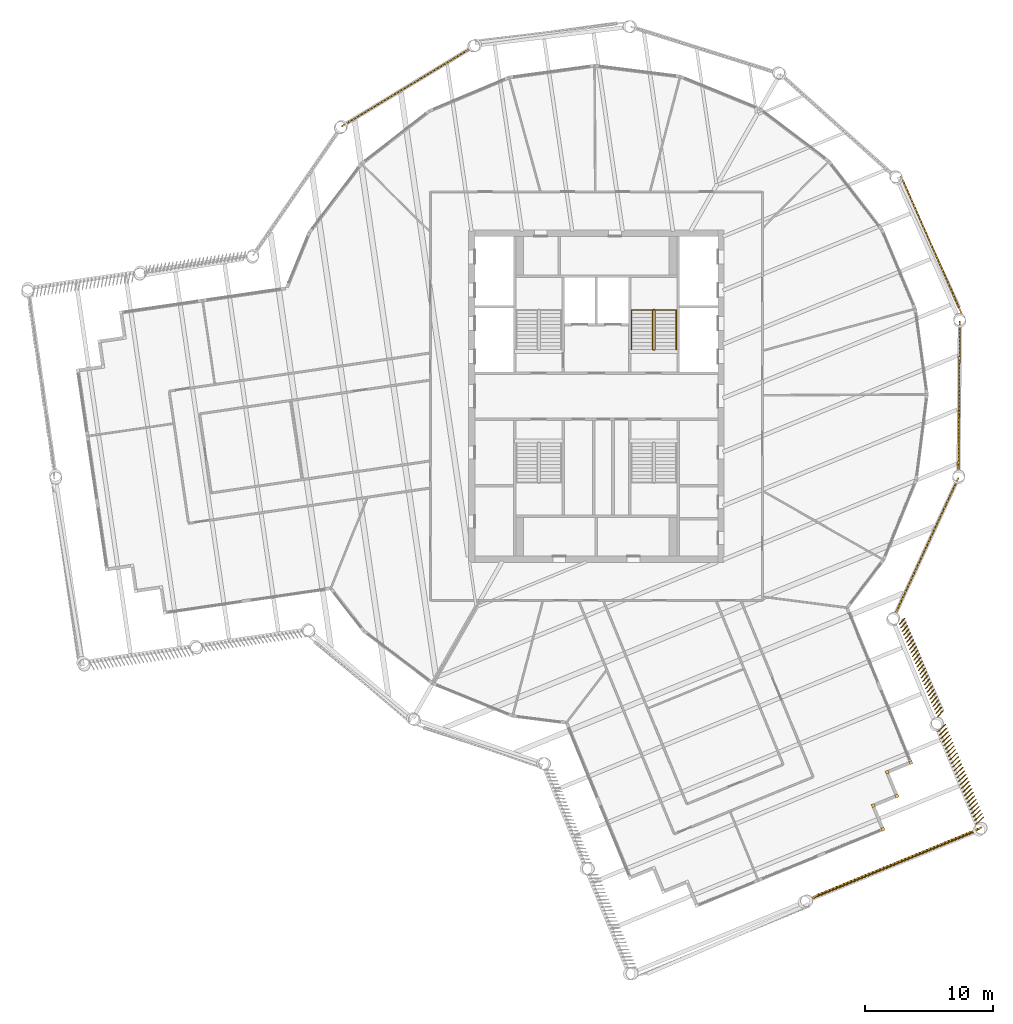
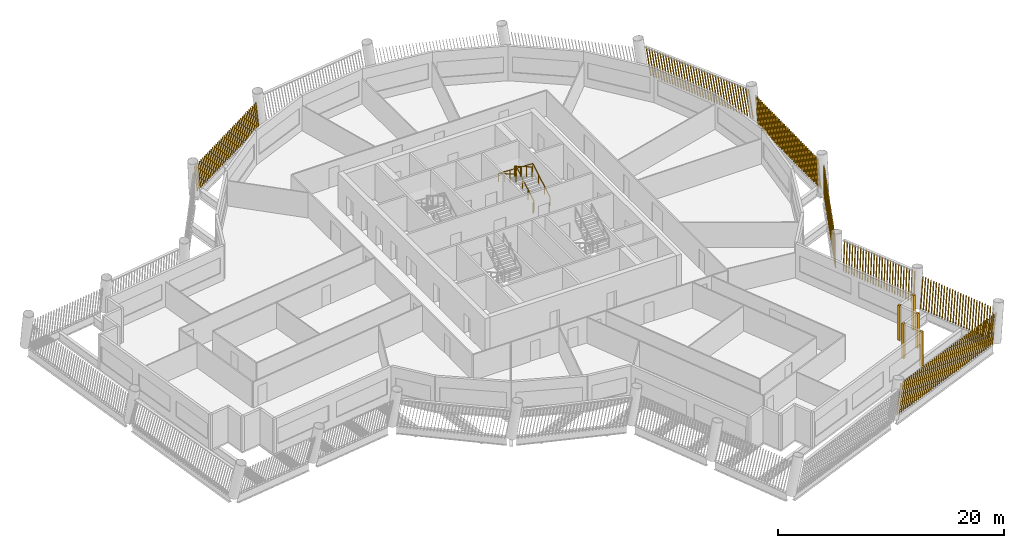
# One storey, part 13 of 15: 12 shading devices, 2 railings.
"""IFC4 building model written with IfcOpenShell, lengths in metres."""

from ifc_helpers import new_model, si_unit, direction, frame, frame_2d, origin, origin_2d, place, context, subcontext, project, spatial, rectangle, circle, composite_profile, extrude, material, type_object, element, save


model = new_model("IFC4")

# Units and contexts
model_context = context("Model", 3, precision=1e-05, world=origin(), true_north=direction((0.0, 1.0)))
body_context = subcontext(model_context, "Body", "Model", "MODEL_VIEW")
ifc_project = project(units=[si_unit("LENGTHUNIT", "METRE"), si_unit("AREAUNIT", "SQUARE_METRE"), si_unit("VOLUMEUNIT", "CUBIC_METRE"), si_unit("PLANEANGLEUNIT", "RADIAN"), si_unit("MASSUNIT", "GRAM", prefix="KILO")], contexts=[model_context])

# Site, building, storey
site_placement = place(None, origin())
site = spatial("IfcSite", under=ifc_project, at=site_placement, CompositionType="ELEMENT")
building_placement = place(site_placement, origin())
building = spatial("IfcBuilding", under=site, at=building_placement, Name="Tarsis Ring Headquarters", CompositionType="ELEMENT")
storey_placement = place(building_placement, frame((0.0, 0.0, 319.699951171875)))
storey = spatial("IfcBuildingStorey", under=building, at=storey_placement, Name="L75", CompositionType="ELEMENT", Elevation=319.699951171875)

# Railings
ifc_material_1 = material(Name="Steel S355", Category="steel")
railing_type_1 = type_object("IfcRailingType", Name="Core stair guard 1100", PredefinedType="GUARDRAIL", material=ifc_material_1)
railing_1_placement = place(storey_placement, frame((4.4599609375, 3.610107421875, 0.0)))
element("IfcRailing", 1, at=railing_1_placement, inside=storey, type_object=railing_type_1, Name="L75 ST2 stair guard 1", PredefinedType="GUARDRAIL", context=body_context, shape_type="SweptSolid", body=[
    extrude(circle(Radius=0.02392578125, at=origin_2d()), frame((0.0, 0.0, 1.076171875), z_axis=(1.0, 0.0, 0.0), x_axis=(0.0, 1.0, 0.0)), (0.0, 0.0, 1.0), 0.080078125),
    extrude(circle(Radius=0.02392578125, at=origin_2d()), frame((0.080078125, 0.0, 1.076171875), z_axis=(0.282336740067, 0.280959487676, 0.917250092119), x_axis=(-0.705375805398, 0.708833529934, 0.0)), (0.0, 0.0, 1.0), 0.17724609375),
    extrude(circle(Radius=0.02392578125, at=origin_2d()), frame((0.130126953125, 0.0498046875, 1.23876953125), z_axis=(0.0, 0.864920483161, 0.501908913857), x_axis=(-1.0, 0.0, 0.0)), (0.0, 0.0, 1.0), 3.56103515625),
    extrude(circle(Radius=0.02392578125, at=origin_2d()), frame((0.130126953125, 3.1298828125, 3.02587890625), z_axis=(-0.707106781187, 0.707106781187, 0.0), x_axis=(-0.707106781187, -0.707106781187, 0.0)), (0.0, 0.0, 1.0), 0.07080078125),
    extrude(circle(Radius=0.02392578125, at=origin_2d()), frame((0.080078125, 3.179931640625, 3.02587890625), z_axis=(-1.0, 0.0, 0.0), x_axis=(0.0, -1.0, 0.0)), (0.0, 0.0, 1.0), 0.080078125),
    extrude(circle(Radius=0.02392578125, at=origin_2d()), frame((0.0, 3.179931640625, 3.02587890625), z_axis=(-0.282227285176, -0.282227285176, 0.916894497205), x_axis=(0.707106781187, -0.707106781187, 0.0)), (0.0, 0.0, 1.0), 0.17724609375),
    extrude(circle(Radius=0.02392578125, at=origin_2d()), frame((-0.050048828125, 3.1298828125, 3.1884765625), z_axis=(0.0, -0.864890721111, 0.501960198159), x_axis=(1.0, 0.0, 0.0)), (0.0, 0.0, 1.0), 3.561279296875),
    extrude(circle(Radius=0.02099609375, at=origin_2d()), origin(), (0.0, 0.0, 1.0), 1.052001953125),
    extrude(circle(Radius=0.02099609375, at=origin_2d()), frame((0.080078125, 0.0, 0.0)), (0.0, 0.0, 1.0), 1.052001953125),
    extrude(circle(Radius=0.02099609375, at=origin_2d()), frame((0.130126953125, 0.0498046875, 0.16259765625)), (0.0, 0.0, 1.0), 1.052001953125),
    extrude(circle(Radius=0.02099609375, at=origin_2d()), frame((0.130126953125, 1.076416015625, 0.75830078125)), (0.0, 0.0, 1.0), 1.052001953125),
    extrude(circle(Radius=0.02099609375, at=origin_2d()), frame((0.130126953125, 2.103271484375, 1.354248046875)), (0.0, 0.0, 1.0), 1.052001953125),
    extrude(circle(Radius=0.02099609375, at=origin_2d()), frame((0.130126953125, 3.1298828125, 1.949951171875)), (0.0, 0.0, 1.0), 1.052001953125),
    extrude(circle(Radius=0.02099609375, at=origin_2d()), frame((0.080078125, 3.179931640625, 1.949951171875)), (0.0, 0.0, 1.0), 1.052001953125),
    extrude(circle(Radius=0.02099609375, at=origin_2d()), frame((0.0, 3.179931640625, 1.949951171875)), (0.0, 0.0, 1.0), 1.052001953125),
    extrude(circle(Radius=0.02099609375, at=origin_2d()), frame((-0.050048828125, 3.1298828125, 2.112548828125)), (0.0, 0.0, 1.0), 1.052001953125),
    extrude(circle(Radius=0.02099609375, at=origin_2d()), frame((-0.050048828125, 2.103271484375, 2.70849609375)), (0.0, 0.0, 1.0), 1.052001953125),
    extrude(circle(Radius=0.02099609375, at=origin_2d()), frame((-0.050048828125, 1.076416015625, 3.30419921875)), (0.0, 0.0, 1.0), 1.052001953125),
    extrude(circle(Radius=0.02099609375, at=origin_2d()), frame((-0.050048828125, 0.0498046875, 3.900146484375)), (0.0, 0.0, 1.0), 1.052001953125),
])
railing_type_2 = type_object("IfcRailingType", Name="Core stair handrail 900", PredefinedType="HANDRAIL", material=ifc_material_1)
railing_2_placement = place(storey_placement, frame((6.25, 3.659912109375, 0.16259765625)))
element("IfcRailing", 2, at=railing_2_placement, inside=storey, type_object=railing_type_2, Name="L75 ST2 stair handrail 1", PredefinedType="HANDRAIL", context=body_context, shape_type="SweptSolid", body=[
    extrude(circle(Radius=0.02392578125, at=origin_2d()), frame((0.0, 0.0, 0.8759765625), z_axis=(0.0, 0.864920483161, 0.501908913857), x_axis=(-1.0, 0.0, 0.0)), (0.0, 0.0, 1.0), 3.56103515625),
    extrude(circle(Radius=0.02392578125, at=origin_2d()), frame((0.0, 3.080078125, 2.6630859375), z_axis=(-0.998922641604, 0.0, 0.046406422943), x_axis=(0.0, -1.0, 0.0)), (0.0, 0.0, 1.0), 3.503662109375),
    extrude(circle(Radius=0.02392578125, at=origin_2d()), frame((-3.5, 3.080078125, 2.82568359375), z_axis=(0.0, -0.864890721111, 0.501960198159), x_axis=(1.0, 0.0, 0.0)), (0.0, 0.0, 1.0), 3.561279296875),
    extrude(circle(Radius=0.02099609375, at=origin_2d()), origin(), (0.0, 0.0, 1.0), 0.851806640625),
    extrude(circle(Radius=0.02099609375, at=origin_2d()), frame((0.0, 1.026611328125, 0.595703125)), (0.0, 0.0, 1.0), 0.851806640625),
    extrude(circle(Radius=0.02099609375, at=origin_2d()), frame((0.0, 2.053466796875, 1.191650390625)), (0.0, 0.0, 1.0), 0.851806640625),
    extrude(circle(Radius=0.02099609375, at=origin_2d()), frame((0.0, 3.080078125, 1.787353515625)), (0.0, 0.0, 1.0), 0.851806640625),
    extrude(circle(Radius=0.02099609375, at=origin_2d()), frame((-1.166748046875, 3.080078125, 1.841552734375)), (0.0, 0.0, 1.0), 0.851806640625),
    extrude(circle(Radius=0.02099609375, at=origin_2d()), frame((-2.333251953125, 3.080078125, 1.895751953125)), (0.0, 0.0, 1.0), 0.851806640625),
    extrude(circle(Radius=0.02099609375, at=origin_2d()), frame((-3.5, 3.080078125, 1.949951171875)), (0.0, 0.0, 1.0), 0.851806640625),
    extrude(circle(Radius=0.02099609375, at=origin_2d()), frame((-3.5, 2.053466796875, 2.5458984375)), (0.0, 0.0, 1.0), 0.851806640625),
    extrude(circle(Radius=0.02099609375, at=origin_2d()), frame((-3.5, 1.026611328125, 3.1416015625)), (0.0, 0.0, 1.0), 0.851806640625),
    extrude(circle(Radius=0.02099609375, at=origin_2d()), frame((-3.5, 0.0, 3.737548828125)), (0.0, 0.0, 1.0), 0.851806640625),
])

# Shading devices
ifc_material_2 = material(Name="Terracotta baguette", Category="masonry")
shading_device_type_1 = type_object("IfcShadingDeviceType", Name="Terracotta baguette screen", PredefinedType="USERDEFINED", material=ifc_material_2)
shading_device_1_placement = place(storey_placement, frame((16.717041015625, -39.4033203125, 0.0), z_axis=(0.0, 0.0, 1.0), x_axis=(0.925077399381, 0.379778858912, 0.0)))
element("IfcShadingDevice", 3, at=shading_device_1_placement, inside=storey, type_object=shading_device_type_1, Name="Baguette screen L75-04", ObjectType="Terracotta baguette screen", PredefinedType="USERDEFINED", context=body_context, shape_type="SweptSolid", body=[
    extrude(composite_profile([rectangle(XDim=0.06005859375, YDim=0.1201171875, at=frame_2d((0.030029296875, 0.0))), rectangle(XDim=0.06005859375, YDim=0.1201171875, at=frame_2d((0.33544921875, 0.0))), rectangle(XDim=0.06005859375, YDim=0.1201171875, at=frame_2d((0.640625, 0.0))), rectangle(XDim=0.06005859375, YDim=0.1201171875, at=frame_2d((0.946044921875, 0.0))), rectangle(XDim=0.06005859375, YDim=0.1201171875, at=frame_2d((1.25146484375, 0.0))), rectangle(XDim=0.06005859375, YDim=0.1201171875, at=frame_2d((1.556640625, 0.0))), rectangle(XDim=0.06005859375, YDim=0.1201171875, at=frame_2d((1.862060546875, 0.0))), rectangle(XDim=0.06005859375, YDim=0.1201171875, at=frame_2d((2.16748046875, 0.0))), rectangle(XDim=0.06005859375, YDim=0.1201171875, at=frame_2d((2.47265625, 0.0))), rectangle(XDim=0.06005859375, YDim=0.1201171875, at=frame_2d((2.778076171875, 0.0))), rectangle(XDim=0.06005859375, YDim=0.1201171875, at=frame_2d((3.08349609375, 0.0))), rectangle(XDim=0.06005859375, YDim=0.1201171875, at=frame_2d((3.388671875, 0.0))), rectangle(XDim=0.06005859375, YDim=0.1201171875, at=frame_2d((3.694091796875, 0.0))), rectangle(XDim=0.06005859375, YDim=0.1201171875, at=frame_2d((3.99951171875, 0.0))), rectangle(XDim=0.06005859375, YDim=0.1201171875, at=frame_2d((4.3046875, 0.0))), rectangle(XDim=0.06005859375, YDim=0.1201171875, at=frame_2d((4.610107421875, 0.0))), rectangle(XDim=0.06005859375, YDim=0.1201171875, at=frame_2d((4.91552734375, 0.0))), rectangle(XDim=0.06005859375, YDim=0.1201171875, at=frame_2d((5.220703125, 0.0))), rectangle(XDim=0.06005859375, YDim=0.1201171875, at=frame_2d((5.526123046875, 0.0))), rectangle(XDim=0.06005859375, YDim=0.1201171875, at=frame_2d((5.83154296875, 0.0))), rectangle(XDim=0.06005859375, YDim=0.1201171875, at=frame_2d((6.13671875, 0.0))), rectangle(XDim=0.06005859375, YDim=0.1201171875, at=frame_2d((6.442138671875, 0.0))), rectangle(XDim=0.06005859375, YDim=0.1201171875, at=frame_2d((6.74755859375, 0.0))), rectangle(XDim=0.06005859375, YDim=0.1201171875, at=frame_2d((7.052734375, 0.0))), rectangle(XDim=0.06005859375, YDim=0.1201171875, at=frame_2d((7.358154296875, 0.0))), rectangle(XDim=0.06005859375, YDim=0.1201171875, at=frame_2d((7.66357421875, 0.0))), rectangle(XDim=0.06005859375, YDim=0.1201171875, at=frame_2d((7.96875, 0.0))), rectangle(XDim=0.06005859375, YDim=0.1201171875, at=frame_2d((8.274169921875, 0.0))), rectangle(XDim=0.06005859375, YDim=0.1201171875, at=frame_2d((8.57958984375, 0.0))), rectangle(XDim=0.06005859375, YDim=0.1201171875, at=frame_2d((8.884765625, 0.0))), rectangle(XDim=0.06005859375, YDim=0.1201171875, at=frame_2d((9.190185546875, 0.0))), rectangle(XDim=0.06005859375, YDim=0.1201171875, at=frame_2d((9.49560546875, 0.0))), rectangle(XDim=0.06005859375, YDim=0.1201171875, at=frame_2d((9.80078125, 0.0))), rectangle(XDim=0.06005859375, YDim=0.1201171875, at=frame_2d((10.106201171875, 0.0))), rectangle(XDim=0.06005859375, YDim=0.1201171875, at=frame_2d((10.41162109375, 0.0))), rectangle(XDim=0.06005859375, YDim=0.1201171875, at=frame_2d((10.716796875, 0.0))), rectangle(XDim=0.06005859375, YDim=0.1201171875, at=frame_2d((11.022216796875, 0.0))), rectangle(XDim=0.06005859375, YDim=0.1201171875, at=frame_2d((11.32763671875, 0.0))), rectangle(XDim=0.06005859375, YDim=0.1201171875, at=frame_2d((11.6328125, 0.0))), rectangle(XDim=0.06005859375, YDim=0.1201171875, at=frame_2d((11.938232421875, 0.0))), rectangle(XDim=0.06005859375, YDim=0.1201171875, at=frame_2d((12.24365234375, 0.0))), rectangle(XDim=0.06005859375, YDim=0.1201171875, at=frame_2d((12.548828125, 0.0))), rectangle(XDim=0.06005859375, YDim=0.1201171875, at=frame_2d((12.854248046875, 0.0))), rectangle(XDim=0.06005859375, YDim=0.1201171875, at=frame_2d((13.15966796875, 0.0))), rectangle(XDim=0.06005859375, YDim=0.1201171875, at=frame_2d((13.46484375, 0.0))), rectangle(XDim=0.06005859375, YDim=0.1201171875, at=frame_2d((13.770263671875, 0.0)))]), origin(), (0.252586615583, 0.046036435998, 0.966478477871), 3.07080078125),
])
shading_device_2_placement = place(storey_placement, frame((29.755859375, -33.510009765625, 0.0), z_axis=(0.0, 0.0, 1.0), x_axis=(-0.379800414002, 0.925078011555, 0.0)))
element("IfcShadingDevice", 4, at=shading_device_2_placement, inside=storey, type_object=shading_device_type_1, Name="Baguette screen L75-05", ObjectType="Terracotta baguette screen", PredefinedType="USERDEFINED", context=body_context, shape_type="SweptSolid", body=[
    extrude(composite_profile([rectangle(XDim=0.06005859375, YDim=0.1201171875, at=frame_2d((0.030029296875, 0.0))), rectangle(XDim=0.06005859375, YDim=0.1201171875, at=frame_2d((0.33154296875, 0.0))), rectangle(XDim=0.06005859375, YDim=0.1201171875, at=frame_2d((0.63330078125, 0.0))), rectangle(XDim=0.06005859375, YDim=0.1201171875, at=frame_2d((0.934814453125, 0.0))), rectangle(XDim=0.06005859375, YDim=0.1201171875, at=frame_2d((1.236572265625, 0.0))), rectangle(XDim=0.06005859375, YDim=0.1201171875, at=frame_2d((1.5380859375, 0.0))), rectangle(XDim=0.06005859375, YDim=0.1201171875, at=frame_2d((1.83984375, 0.0))), rectangle(XDim=0.06005859375, YDim=0.1201171875, at=frame_2d((2.141357421875, 0.0))), rectangle(XDim=0.06005859375, YDim=0.1201171875, at=frame_2d((2.443115234375, 0.0))), rectangle(XDim=0.06005859375, YDim=0.1201171875, at=frame_2d((2.74462890625, 0.0))), rectangle(XDim=0.06005859375, YDim=0.1201171875, at=frame_2d((3.04638671875, 0.0))), rectangle(XDim=0.06005859375, YDim=0.1201171875, at=frame_2d((3.347900390625, 0.0))), rectangle(XDim=0.06005859375, YDim=0.1201171875, at=frame_2d((3.649658203125, 0.0))), rectangle(XDim=0.06005859375, YDim=0.1201171875, at=frame_2d((3.951171875, 0.0))), rectangle(XDim=0.06005859375, YDim=0.1201171875, at=frame_2d((4.252685546875, 0.0))), rectangle(XDim=0.06005859375, YDim=0.1201171875, at=frame_2d((4.554443359375, 0.0))), rectangle(XDim=0.06005859375, YDim=0.1201171875, at=frame_2d((4.85595703125, 0.0))), rectangle(XDim=0.06005859375, YDim=0.1201171875, at=frame_2d((5.15771484375, 0.0))), rectangle(XDim=0.06005859375, YDim=0.1201171875, at=frame_2d((5.459228515625, 0.0))), rectangle(XDim=0.06005859375, YDim=0.1201171875, at=frame_2d((5.760986328125, 0.0))), rectangle(XDim=0.06005859375, YDim=0.1201171875, at=frame_2d((6.0625, 0.0))), rectangle(XDim=0.06005859375, YDim=0.1201171875, at=frame_2d((6.3642578125, 0.0))), rectangle(XDim=0.06005859375, YDim=0.1201171875, at=frame_2d((6.665771484375, 0.0))), rectangle(XDim=0.06005859375, YDim=0.1201171875, at=frame_2d((6.967529296875, 0.0))), rectangle(XDim=0.06005859375, YDim=0.1201171875, at=frame_2d((7.26904296875, 0.0))), rectangle(XDim=0.06005859375, YDim=0.1201171875, at=frame_2d((7.57080078125, 0.0))), rectangle(XDim=0.06005859375, YDim=0.1201171875, at=frame_2d((7.872314453125, 0.0)))]), origin(), (0.089843486562, -0.226664607447, 0.969820242959), 3.06005859375),
])
shading_device_3_placement = place(storey_placement, frame((26.721923828125, -25.13232421875, 0.0), z_axis=(0.0, 0.0, 1.0), x_axis=(-0.379800414002, 0.925078011555, 0.0)))
element("IfcShadingDevice", 5, at=shading_device_3_placement, inside=storey, type_object=shading_device_type_1, Name="Baguette screen L75-06", ObjectType="Terracotta baguette screen", PredefinedType="USERDEFINED", context=body_context, shape_type="SweptSolid", body=[
    extrude(composite_profile([rectangle(XDim=0.06005859375, YDim=0.1201171875, at=frame_2d((0.030029296875, 0.0))), rectangle(XDim=0.06005859375, YDim=0.1201171875, at=frame_2d((0.33154296875, 0.0))), rectangle(XDim=0.06005859375, YDim=0.1201171875, at=frame_2d((0.63330078125, 0.0))), rectangle(XDim=0.06005859375, YDim=0.1201171875, at=frame_2d((0.934814453125, 0.0))), rectangle(XDim=0.06005859375, YDim=0.1201171875, at=frame_2d((1.236572265625, 0.0))), rectangle(XDim=0.06005859375, YDim=0.1201171875, at=frame_2d((1.5380859375, 0.0))), rectangle(XDim=0.06005859375, YDim=0.1201171875, at=frame_2d((1.83984375, 0.0))), rectangle(XDim=0.06005859375, YDim=0.1201171875, at=frame_2d((2.141357421875, 0.0))), rectangle(XDim=0.06005859375, YDim=0.1201171875, at=frame_2d((2.443115234375, 0.0))), rectangle(XDim=0.06005859375, YDim=0.1201171875, at=frame_2d((2.74462890625, 0.0))), rectangle(XDim=0.06005859375, YDim=0.1201171875, at=frame_2d((3.04638671875, 0.0))), rectangle(XDim=0.06005859375, YDim=0.1201171875, at=frame_2d((3.347900390625, 0.0))), rectangle(XDim=0.06005859375, YDim=0.1201171875, at=frame_2d((3.649658203125, 0.0))), rectangle(XDim=0.06005859375, YDim=0.1201171875, at=frame_2d((3.951171875, 0.0))), rectangle(XDim=0.06005859375, YDim=0.1201171875, at=frame_2d((4.252685546875, 0.0))), rectangle(XDim=0.06005859375, YDim=0.1201171875, at=frame_2d((4.554443359375, 0.0))), rectangle(XDim=0.06005859375, YDim=0.1201171875, at=frame_2d((4.85595703125, 0.0))), rectangle(XDim=0.06005859375, YDim=0.1201171875, at=frame_2d((5.15771484375, 0.0))), rectangle(XDim=0.06005859375, YDim=0.1201171875, at=frame_2d((5.459228515625, 0.0))), rectangle(XDim=0.06005859375, YDim=0.1201171875, at=frame_2d((5.760986328125, 0.0))), rectangle(XDim=0.06005859375, YDim=0.1201171875, at=frame_2d((6.0625, 0.0))), rectangle(XDim=0.06005859375, YDim=0.1201171875, at=frame_2d((6.3642578125, 0.0))), rectangle(XDim=0.06005859375, YDim=0.1201171875, at=frame_2d((6.665771484375, 0.0))), rectangle(XDim=0.06005859375, YDim=0.1201171875, at=frame_2d((6.967529296875, 0.0))), rectangle(XDim=0.06005859375, YDim=0.1201171875, at=frame_2d((7.26904296875, 0.0))), rectangle(XDim=0.06005859375, YDim=0.1201171875, at=frame_2d((7.57080078125, 0.0))), rectangle(XDim=0.06005859375, YDim=0.1201171875, at=frame_2d((7.872314453125, 0.0)))]), origin(), (0.092559103822, -0.175682487911, 0.980085953241), 3.028076171875),
])
shading_device_4_placement = place(storey_placement, frame((23.394287109375, -17.04833984375, 0.0), z_axis=(0.0, 0.0, 1.0), x_axis=(0.420705371677, 0.907194791101, 0.0)))
element("IfcShadingDevice", 6, at=shading_device_4_placement, inside=storey, type_object=shading_device_type_1, Name="Baguette screen L75-07", ObjectType="Terracotta baguette screen", PredefinedType="USERDEFINED", context=body_context, shape_type="SweptSolid", body=[
    extrude(composite_profile([rectangle(XDim=0.06005859375, YDim=0.1201171875, at=frame_2d((0.030029296875, 0.0))), rectangle(XDim=0.06005859375, YDim=0.1201171875, at=frame_2d((0.33251953125, 0.0))), rectangle(XDim=0.06005859375, YDim=0.1201171875, at=frame_2d((0.634765625, 0.0))), rectangle(XDim=0.06005859375, YDim=0.1201171875, at=frame_2d((0.937255859375, 0.0))), rectangle(XDim=0.06005859375, YDim=0.1201171875, at=frame_2d((1.239501953125, 0.0))), rectangle(XDim=0.06005859375, YDim=0.1201171875, at=frame_2d((1.5419921875, 0.0))), rectangle(XDim=0.06005859375, YDim=0.1201171875, at=frame_2d((1.844482421875, 0.0))), rectangle(XDim=0.06005859375, YDim=0.1201171875, at=frame_2d((2.146728515625, 0.0))), rectangle(XDim=0.06005859375, YDim=0.1201171875, at=frame_2d((2.44921875, 0.0))), rectangle(XDim=0.06005859375, YDim=0.1201171875, at=frame_2d((2.751708984375, 0.0))), rectangle(XDim=0.06005859375, YDim=0.1201171875, at=frame_2d((3.053955078125, 0.0))), rectangle(XDim=0.06005859375, YDim=0.1201171875, at=frame_2d((3.3564453125, 0.0))), rectangle(XDim=0.06005859375, YDim=0.1201171875, at=frame_2d((3.65869140625, 0.0))), rectangle(XDim=0.06005859375, YDim=0.1201171875, at=frame_2d((3.961181640625, 0.0))), rectangle(XDim=0.06005859375, YDim=0.1201171875, at=frame_2d((4.263671875, 0.0))), rectangle(XDim=0.06005859375, YDim=0.1201171875, at=frame_2d((4.56591796875, 0.0))), rectangle(XDim=0.06005859375, YDim=0.1201171875, at=frame_2d((4.868408203125, 0.0))), rectangle(XDim=0.06005859375, YDim=0.1201171875, at=frame_2d((5.1708984375, 0.0))), rectangle(XDim=0.06005859375, YDim=0.1201171875, at=frame_2d((5.47314453125, 0.0))), rectangle(XDim=0.06005859375, YDim=0.1201171875, at=frame_2d((5.775634765625, 0.0))), rectangle(XDim=0.06005859375, YDim=0.1201171875, at=frame_2d((6.077880859375, 0.0))), rectangle(XDim=0.06005859375, YDim=0.1201171875, at=frame_2d((6.38037109375, 0.0))), rectangle(XDim=0.06005859375, YDim=0.1201171875, at=frame_2d((6.682861328125, 0.0))), rectangle(XDim=0.06005859375, YDim=0.1201171875, at=frame_2d((6.985107421875, 0.0))), rectangle(XDim=0.06005859375, YDim=0.1201171875, at=frame_2d((7.28759765625, 0.0))), rectangle(XDim=0.06005859375, YDim=0.1201171875, at=frame_2d((7.590087890625, 0.0))), rectangle(XDim=0.06005859375, YDim=0.1201171875, at=frame_2d((7.892333984375, 0.0))), rectangle(XDim=0.06005859375, YDim=0.1201171875, at=frame_2d((8.19482421875, 0.0))), rectangle(XDim=0.06005859375, YDim=0.1201171875, at=frame_2d((8.4970703125, 0.0))), rectangle(XDim=0.06005859375, YDim=0.1201171875, at=frame_2d((8.799560546875, 0.0))), rectangle(XDim=0.06005859375, YDim=0.1201171875, at=frame_2d((9.10205078125, 0.0))), rectangle(XDim=0.06005859375, YDim=0.1201171875, at=frame_2d((9.404296875, 0.0))), rectangle(XDim=0.06005859375, YDim=0.1201171875, at=frame_2d((9.706787109375, 0.0))), rectangle(XDim=0.06005859375, YDim=0.1201171875, at=frame_2d((10.00927734375, 0.0))), rectangle(XDim=0.06005859375, YDim=0.1201171875, at=frame_2d((10.3115234375, 0.0))), rectangle(XDim=0.06005859375, YDim=0.1201171875, at=frame_2d((10.614013671875, 0.0))), rectangle(XDim=0.06005859375, YDim=0.1201171875, at=frame_2d((10.916259765625, 0.0))), rectangle(XDim=0.06005859375, YDim=0.1201171875, at=frame_2d((11.21875, 0.0)))]), origin(), (0.171101068351, 0.001554293659, 0.985252256318), 3.01220703125),
])
shading_device_5_placement = place(storey_placement, frame((28.341796875, -5.889892578125, 0.0), z_axis=(0.0, 0.0, 1.0), x_axis=(0.009354313619, 0.999956592512, 0.0)))
element("IfcShadingDevice", 7, at=shading_device_5_placement, inside=storey, type_object=shading_device_type_1, Name="Baguette screen L75-08", ObjectType="Terracotta baguette screen", PredefinedType="USERDEFINED", context=body_context, shape_type="SweptSolid", body=[
    extrude(composite_profile([rectangle(XDim=0.06005859375, YDim=0.1201171875, at=frame_2d((0.030029296875, 0.0))), rectangle(XDim=0.06005859375, YDim=0.1201171875, at=frame_2d((0.33251953125, 0.0))), rectangle(XDim=0.06005859375, YDim=0.1201171875, at=frame_2d((0.634765625, 0.0))), rectangle(XDim=0.06005859375, YDim=0.1201171875, at=frame_2d((0.937255859375, 0.0))), rectangle(XDim=0.06005859375, YDim=0.1201171875, at=frame_2d((1.239501953125, 0.0))), rectangle(XDim=0.06005859375, YDim=0.1201171875, at=frame_2d((1.5419921875, 0.0))), rectangle(XDim=0.06005859375, YDim=0.1201171875, at=frame_2d((1.844482421875, 0.0))), rectangle(XDim=0.06005859375, YDim=0.1201171875, at=frame_2d((2.146728515625, 0.0))), rectangle(XDim=0.06005859375, YDim=0.1201171875, at=frame_2d((2.44921875, 0.0))), rectangle(XDim=0.06005859375, YDim=0.1201171875, at=frame_2d((2.751708984375, 0.0))), rectangle(XDim=0.06005859375, YDim=0.1201171875, at=frame_2d((3.053955078125, 0.0))), rectangle(XDim=0.06005859375, YDim=0.1201171875, at=frame_2d((3.3564453125, 0.0))), rectangle(XDim=0.06005859375, YDim=0.1201171875, at=frame_2d((3.65869140625, 0.0))), rectangle(XDim=0.06005859375, YDim=0.1201171875, at=frame_2d((3.961181640625, 0.0))), rectangle(XDim=0.06005859375, YDim=0.1201171875, at=frame_2d((4.263671875, 0.0))), rectangle(XDim=0.06005859375, YDim=0.1201171875, at=frame_2d((4.56591796875, 0.0))), rectangle(XDim=0.06005859375, YDim=0.1201171875, at=frame_2d((4.868408203125, 0.0))), rectangle(XDim=0.06005859375, YDim=0.1201171875, at=frame_2d((5.1708984375, 0.0))), rectangle(XDim=0.06005859375, YDim=0.1201171875, at=frame_2d((5.47314453125, 0.0))), rectangle(XDim=0.06005859375, YDim=0.1201171875, at=frame_2d((5.775634765625, 0.0))), rectangle(XDim=0.06005859375, YDim=0.1201171875, at=frame_2d((6.077880859375, 0.0))), rectangle(XDim=0.06005859375, YDim=0.1201171875, at=frame_2d((6.38037109375, 0.0))), rectangle(XDim=0.06005859375, YDim=0.1201171875, at=frame_2d((6.682861328125, 0.0))), rectangle(XDim=0.06005859375, YDim=0.1201171875, at=frame_2d((6.985107421875, 0.0))), rectangle(XDim=0.06005859375, YDim=0.1201171875, at=frame_2d((7.28759765625, 0.0))), rectangle(XDim=0.06005859375, YDim=0.1201171875, at=frame_2d((7.590087890625, 0.0))), rectangle(XDim=0.06005859375, YDim=0.1201171875, at=frame_2d((7.892333984375, 0.0))), rectangle(XDim=0.06005859375, YDim=0.1201171875, at=frame_2d((8.19482421875, 0.0))), rectangle(XDim=0.06005859375, YDim=0.1201171875, at=frame_2d((8.4970703125, 0.0))), rectangle(XDim=0.06005859375, YDim=0.1201171875, at=frame_2d((8.799560546875, 0.0))), rectangle(XDim=0.06005859375, YDim=0.1201171875, at=frame_2d((9.10205078125, 0.0))), rectangle(XDim=0.06005859375, YDim=0.1201171875, at=frame_2d((9.404296875, 0.0))), rectangle(XDim=0.06005859375, YDim=0.1201171875, at=frame_2d((9.706787109375, 0.0))), rectangle(XDim=0.06005859375, YDim=0.1201171875, at=frame_2d((10.00927734375, 0.0))), rectangle(XDim=0.06005859375, YDim=0.1201171875, at=frame_2d((10.3115234375, 0.0))), rectangle(XDim=0.06005859375, YDim=0.1201171875, at=frame_2d((10.614013671875, 0.0))), rectangle(XDim=0.06005859375, YDim=0.1201171875, at=frame_2d((10.916259765625, 0.0))), rectangle(XDim=0.06005859375, YDim=0.1201171875, at=frame_2d((11.21875, 0.0)))]), origin(), (0.171101693229, 0.001552468631, 0.985252150678), 3.01220703125),
])
shading_device_6_placement = place(storey_placement, frame((28.593017578125, 6.46728515625, 0.0), z_axis=(0.0, 0.0, 1.0), x_axis=(-0.403659171803, 0.914901467141, 0.0)))
element("IfcShadingDevice", 8, at=shading_device_6_placement, inside=storey, type_object=shading_device_type_1, Name="Baguette screen L75-09", ObjectType="Terracotta baguette screen", PredefinedType="USERDEFINED", context=body_context, shape_type="SweptSolid", body=[
    extrude(composite_profile([rectangle(XDim=0.06005859375, YDim=0.1201171875, at=frame_2d((0.030029296875, 0.0))), rectangle(XDim=0.06005859375, YDim=0.1201171875, at=frame_2d((0.33251953125, 0.0))), rectangle(XDim=0.06005859375, YDim=0.1201171875, at=frame_2d((0.634765625, 0.0))), rectangle(XDim=0.06005859375, YDim=0.1201171875, at=frame_2d((0.937255859375, 0.0))), rectangle(XDim=0.06005859375, YDim=0.1201171875, at=frame_2d((1.239501953125, 0.0))), rectangle(XDim=0.06005859375, YDim=0.1201171875, at=frame_2d((1.5419921875, 0.0))), rectangle(XDim=0.06005859375, YDim=0.1201171875, at=frame_2d((1.844482421875, 0.0))), rectangle(XDim=0.06005859375, YDim=0.1201171875, at=frame_2d((2.146728515625, 0.0))), rectangle(XDim=0.06005859375, YDim=0.1201171875, at=frame_2d((2.44921875, 0.0))), rectangle(XDim=0.06005859375, YDim=0.1201171875, at=frame_2d((2.751708984375, 0.0))), rectangle(XDim=0.06005859375, YDim=0.1201171875, at=frame_2d((3.053955078125, 0.0))), rectangle(XDim=0.06005859375, YDim=0.1201171875, at=frame_2d((3.3564453125, 0.0))), rectangle(XDim=0.06005859375, YDim=0.1201171875, at=frame_2d((3.65869140625, 0.0))), rectangle(XDim=0.06005859375, YDim=0.1201171875, at=frame_2d((3.961181640625, 0.0))), rectangle(XDim=0.06005859375, YDim=0.1201171875, at=frame_2d((4.263671875, 0.0))), rectangle(XDim=0.06005859375, YDim=0.1201171875, at=frame_2d((4.56591796875, 0.0))), rectangle(XDim=0.06005859375, YDim=0.1201171875, at=frame_2d((4.868408203125, 0.0))), rectangle(XDim=0.06005859375, YDim=0.1201171875, at=frame_2d((5.1708984375, 0.0))), rectangle(XDim=0.06005859375, YDim=0.1201171875, at=frame_2d((5.47314453125, 0.0))), rectangle(XDim=0.06005859375, YDim=0.1201171875, at=frame_2d((5.775634765625, 0.0))), rectangle(XDim=0.06005859375, YDim=0.1201171875, at=frame_2d((6.077880859375, 0.0))), rectangle(XDim=0.06005859375, YDim=0.1201171875, at=frame_2d((6.38037109375, 0.0))), rectangle(XDim=0.06005859375, YDim=0.1201171875, at=frame_2d((6.682861328125, 0.0))), rectangle(XDim=0.06005859375, YDim=0.1201171875, at=frame_2d((6.985107421875, 0.0))), rectangle(XDim=0.06005859375, YDim=0.1201171875, at=frame_2d((7.28759765625, 0.0))), rectangle(XDim=0.06005859375, YDim=0.1201171875, at=frame_2d((7.590087890625, 0.0))), rectangle(XDim=0.06005859375, YDim=0.1201171875, at=frame_2d((7.892333984375, 0.0))), rectangle(XDim=0.06005859375, YDim=0.1201171875, at=frame_2d((8.19482421875, 0.0))), rectangle(XDim=0.06005859375, YDim=0.1201171875, at=frame_2d((8.4970703125, 0.0))), rectangle(XDim=0.06005859375, YDim=0.1201171875, at=frame_2d((8.799560546875, 0.0))), rectangle(XDim=0.06005859375, YDim=0.1201171875, at=frame_2d((9.10205078125, 0.0))), rectangle(XDim=0.06005859375, YDim=0.1201171875, at=frame_2d((9.404296875, 0.0))), rectangle(XDim=0.06005859375, YDim=0.1201171875, at=frame_2d((9.706787109375, 0.0))), rectangle(XDim=0.06005859375, YDim=0.1201171875, at=frame_2d((10.00927734375, 0.0))), rectangle(XDim=0.06005859375, YDim=0.1201171875, at=frame_2d((10.3115234375, 0.0))), rectangle(XDim=0.06005859375, YDim=0.1201171875, at=frame_2d((10.614013671875, 0.0))), rectangle(XDim=0.06005859375, YDim=0.1201171875, at=frame_2d((10.916259765625, 0.0))), rectangle(XDim=0.06005859375, YDim=0.1201171875, at=frame_2d((11.21875, 0.0)))]), origin(), (0.173292552034, 0.001569624661, 0.984869142418), 3.013427734375),
])
shading_device_7_placement = place(storey_placement, frame((-9.887451171875, 27.206298828125, 0.0), z_axis=(0.0, 0.0, 1.0), x_axis=(-0.855583288117, -0.517677699403, 0.0)))
element("IfcShadingDevice", 9, at=shading_device_7_placement, inside=storey, type_object=shading_device_type_1, Name="Baguette screen L75-13", ObjectType="Terracotta baguette screen", PredefinedType="USERDEFINED", context=body_context, shape_type="SweptSolid", body=[
    extrude(composite_profile([rectangle(XDim=0.06005859375, YDim=0.1201171875, at=frame_2d((0.030029296875, 0.0))), rectangle(XDim=0.06005859375, YDim=0.1201171875, at=frame_2d((0.33251953125, 0.0))), rectangle(XDim=0.06005859375, YDim=0.1201171875, at=frame_2d((0.634765625, 0.0))), rectangle(XDim=0.06005859375, YDim=0.1201171875, at=frame_2d((0.937255859375, 0.0))), rectangle(XDim=0.06005859375, YDim=0.1201171875, at=frame_2d((1.239501953125, 0.0))), rectangle(XDim=0.06005859375, YDim=0.1201171875, at=frame_2d((1.5419921875, 0.0))), rectangle(XDim=0.06005859375, YDim=0.1201171875, at=frame_2d((1.844482421875, 0.0))), rectangle(XDim=0.06005859375, YDim=0.1201171875, at=frame_2d((2.146728515625, 0.0))), rectangle(XDim=0.06005859375, YDim=0.1201171875, at=frame_2d((2.44921875, 0.0))), rectangle(XDim=0.06005859375, YDim=0.1201171875, at=frame_2d((2.751708984375, 0.0))), rectangle(XDim=0.06005859375, YDim=0.1201171875, at=frame_2d((3.053955078125, 0.0))), rectangle(XDim=0.06005859375, YDim=0.1201171875, at=frame_2d((3.3564453125, 0.0))), rectangle(XDim=0.06005859375, YDim=0.1201171875, at=frame_2d((3.65869140625, 0.0))), rectangle(XDim=0.06005859375, YDim=0.1201171875, at=frame_2d((3.961181640625, 0.0))), rectangle(XDim=0.06005859375, YDim=0.1201171875, at=frame_2d((4.263671875, 0.0))), rectangle(XDim=0.06005859375, YDim=0.1201171875, at=frame_2d((4.56591796875, 0.0))), rectangle(XDim=0.06005859375, YDim=0.1201171875, at=frame_2d((4.868408203125, 0.0))), rectangle(XDim=0.06005859375, YDim=0.1201171875, at=frame_2d((5.1708984375, 0.0))), rectangle(XDim=0.06005859375, YDim=0.1201171875, at=frame_2d((5.47314453125, 0.0))), rectangle(XDim=0.06005859375, YDim=0.1201171875, at=frame_2d((5.775634765625, 0.0))), rectangle(XDim=0.06005859375, YDim=0.1201171875, at=frame_2d((6.077880859375, 0.0))), rectangle(XDim=0.06005859375, YDim=0.1201171875, at=frame_2d((6.38037109375, 0.0))), rectangle(XDim=0.06005859375, YDim=0.1201171875, at=frame_2d((6.682861328125, 0.0))), rectangle(XDim=0.06005859375, YDim=0.1201171875, at=frame_2d((6.985107421875, 0.0))), rectangle(XDim=0.06005859375, YDim=0.1201171875, at=frame_2d((7.28759765625, 0.0))), rectangle(XDim=0.06005859375, YDim=0.1201171875, at=frame_2d((7.590087890625, 0.0))), rectangle(XDim=0.06005859375, YDim=0.1201171875, at=frame_2d((7.892333984375, 0.0))), rectangle(XDim=0.06005859375, YDim=0.1201171875, at=frame_2d((8.19482421875, 0.0))), rectangle(XDim=0.06005859375, YDim=0.1201171875, at=frame_2d((8.4970703125, 0.0))), rectangle(XDim=0.06005859375, YDim=0.1201171875, at=frame_2d((8.799560546875, 0.0))), rectangle(XDim=0.06005859375, YDim=0.1201171875, at=frame_2d((9.10205078125, 0.0))), rectangle(XDim=0.06005859375, YDim=0.1201171875, at=frame_2d((9.404296875, 0.0))), rectangle(XDim=0.06005859375, YDim=0.1201171875, at=frame_2d((9.706787109375, 0.0))), rectangle(XDim=0.06005859375, YDim=0.1201171875, at=frame_2d((10.00927734375, 0.0))), rectangle(XDim=0.06005859375, YDim=0.1201171875, at=frame_2d((10.3115234375, 0.0))), rectangle(XDim=0.06005859375, YDim=0.1201171875, at=frame_2d((10.614013671875, 0.0))), rectangle(XDim=0.06005859375, YDim=0.1201171875, at=frame_2d((10.916259765625, 0.0))), rectangle(XDim=0.06005859375, YDim=0.1201171875, at=frame_2d((11.21875, 0.0)))]), origin(), (0.171102548671, 0.001552158304, 0.985252002608), 3.01220703125),
])
shading_device_type_2 = type_object("IfcShadingDeviceType", Name="Terracotta corner baguette 250x250", PredefinedType="USERDEFINED", material=ifc_material_2)
for number, where, z_axis, x_axis, name in (
    (10, (22.4287109375, -33.896728515625, 0.0), (0.0, 0.0, 1.0), (0.92507722672, 0.379779047085, 0.0), "Corner baguette L75-12"),
    (11, (21.669189453125, -32.046630859375, 0.0), (0.0, 0.0, 1.0), (-0.379779337706, 0.925077107408, 0.0), "Corner baguette L75-13"),
    (12, (23.519287109375, -31.286865234375, 0.0), (0.0, 0.0, 1.0), (0.925077213463, 0.379779079376, 0.0), "Corner baguette L75-14"),
    (13, (22.759765625, -29.436767578125, 0.0), (0.0, 0.0, 1.0), (-0.379779079376, 0.925077213463, 0.0), "Corner baguette L75-15"),
    (14, (24.60986328125, -28.67724609375, 0.0), (0.0, 0.0, 1.0), (0.925077107408, 0.379779337706, 0.0), "Corner baguette L75-16"),
):
    element("IfcShadingDevice", number, at=place(storey_placement, frame(where, z_axis=z_axis, x_axis=x_axis)), inside=storey, type_object=shading_device_type_2, Name=name, ObjectType="Terracotta corner baguette", PredefinedType="USERDEFINED", context=body_context, shape_type="SweptSolid", body=[
        extrude(rectangle(XDim=0.25, YDim=0.25, at=origin_2d()), origin(), (0.0, 0.0, 1.0), 3.739990234375),
    ])

save(model, "model.ifc")
